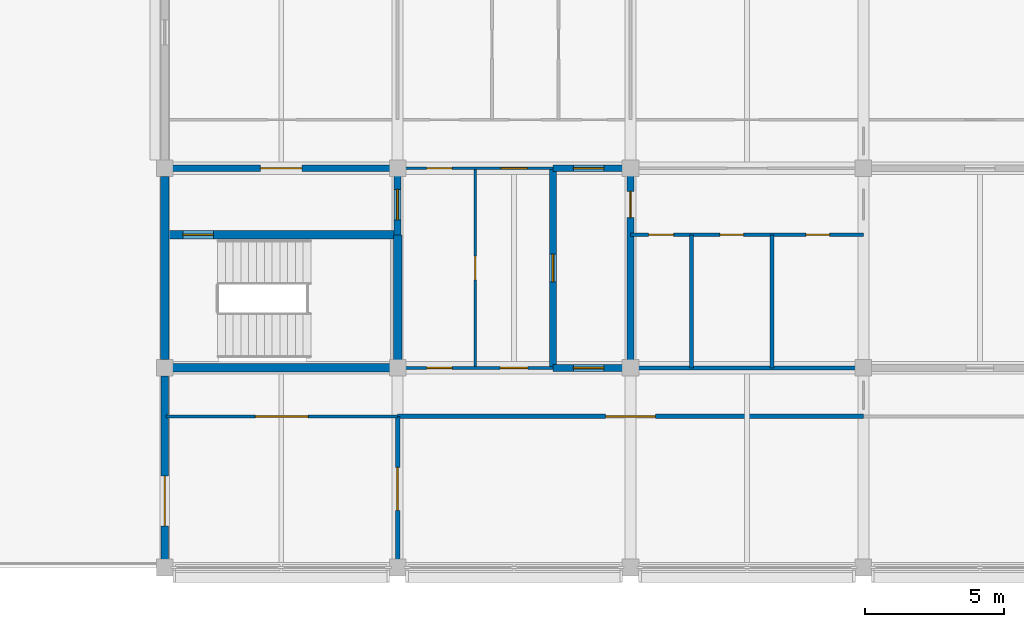
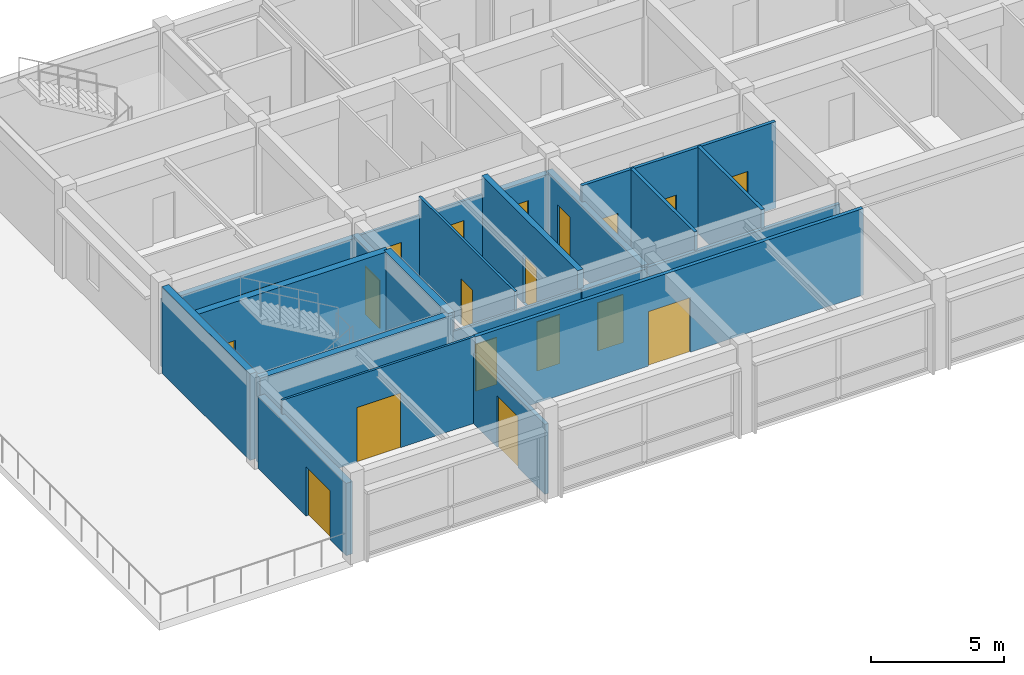
# One storey, part 7 of 13: 21 walls, 19 doors, 19 openings.
"""IFC4 building model written with IfcOpenShell, lengths in metres."""

import ifcopenshell
import ifcopenshell.guid

model = None  # the IFC model being written
_history = None  # IfcOwnerHistory: only IFC2X3 demands one
_inside = {}  # id of a spatial element -> (the spatial element, [elements in it])
_under = {}  # id of a project, library or spatial element -> (it, [spatial elements below it])
_declared = {}  # id of a project -> (the project, [libraries it declares])
_typed = {}  # id of a type object -> (the type object, [elements of that type])
_made_of = {}  # id of a material, layer set ... -> (it, [elements and type objects made of it])


def new_model(schema):
    """Start an empty IFC model of exactly this schema.

    Asked for "IFC4X3", IfcOpenShell would pick the latest addendum, in which some entities
    have other attributes; the version numbers below select the first issue.
    IFC2X3 requires an IfcOwnerHistory on every rooted entity: one is made here for all.
    """
    global model, _history
    if schema == "IFC4X3":
        model = ifcopenshell.file(schema_version=(4, 3, 0, 0))
    else:
        model = ifcopenshell.file(schema=schema)
    _inside.clear()
    _under.clear()
    _declared.clear()
    _typed.clear()
    _made_of.clear()
    _history = None
    if model.schema == "IFC2X3":
        org = make("IfcOrganization", Name="unknown")
        user = make(
            "IfcPersonAndOrganization",
            ThePerson=make("IfcPerson", FamilyName="unknown"),
            TheOrganization=org,
        )
        app = make(
            "IfcApplication",
            ApplicationDeveloper=org,
            Version="unknown",
            ApplicationFullName="unknown",
            ApplicationIdentifier="unknown",
        )
        _history = make(
            "IfcOwnerHistory",
            OwningUser=user,
            OwningApplication=app,
            ChangeAction="ADDED",
            CreationDate=0,
        )
    return model


def make(cls, **values):
    """One entity of the class cls with the attributes given. An attribute that is None is left unset."""
    return model.create_entity(
        cls, **{name: value for name, value in values.items() if value is not None}
    )


def rooted(cls, **values):
    """An entity with a GlobalId (a new one), such as an element, a storey or a relation."""
    return make(cls, GlobalId=ifcopenshell.guid.new(), OwnerHistory=_history, **values)


def si_unit(unit_type, name, prefix=None):
    """IfcSIUnit, for example si_unit("LENGTHUNIT", "METRE", prefix="MILLI")."""
    return make("IfcSIUnit", UnitType=unit_type, Prefix=prefix, Name=name)


def assignment(units):
    """IfcUnitAssignment: the units of a project."""
    return None if units is None else make("IfcUnitAssignment", Units=units)


def point(xyz):
    """IfcCartesianPoint."""
    return None if xyz is None else make("IfcCartesianPoint", Coordinates=xyz)


def direction(xyz):
    """IfcDirection."""
    return None if xyz is None else make("IfcDirection", DirectionRatios=xyz)


def frame(location, z_axis=None, x_axis=None):
    """IfcAxis2Placement3D, a coordinate frame: its origin and axes. An axis left out is left unset."""
    return make(
        "IfcAxis2Placement3D",
        Location=point(location),
        Axis=direction(z_axis),
        RefDirection=direction(x_axis),
    )


def frame_2d(location, x_axis=None):
    """IfcAxis2Placement2D, a coordinate frame in the plane: its origin and x axis."""
    return make(
        "IfcAxis2Placement2D", Location=point(location), RefDirection=direction(x_axis)
    )


def origin():
    """The frame at (0, 0, 0) with its axes left unset."""
    return frame((0.0, 0.0, 0.0))


def place(relative_to, where):
    """IfcLocalPlacement: puts the frame where relative to a parent placement (None: the world)."""
    return make(
        "IfcLocalPlacement", PlacementRelTo=relative_to, RelativePlacement=where
    )


def context(
    kind, dimensions, precision=None, world=None, true_north=None, identifier=None
):
    """IfcGeometricRepresentationContext, for example the 3D "Model" context."""
    return make(
        "IfcGeometricRepresentationContext",
        ContextIdentifier=identifier,
        ContextType=kind,
        CoordinateSpaceDimension=dimensions,
        Precision=precision,
        WorldCoordinateSystem=world,
        TrueNorth=true_north,
    )


def subcontext(parent, identifier, kind, view, scale=None):
    """IfcGeometricRepresentationSubContext, for example "Body" below "Model"."""
    return make(
        "IfcGeometricRepresentationSubContext",
        ContextIdentifier=identifier,
        ContextType=kind,
        ParentContext=parent,
        TargetScale=scale,
        TargetView=view,
    )


def project(units=None, contexts=None):
    """IfcProject with its units and contexts."""
    return rooted(
        "IfcProject",
        Name="project",
        RepresentationContexts=contexts,
        UnitsInContext=assignment(units),
    )


def spatial(cls, under=None, at=None, **own):
    """A site, building, storey or space (cls), placed at a placement, below another one or the project."""
    s = rooted(cls, ObjectPlacement=at, **own)
    if under is not None:
        _under.setdefault(under.id(), (under, []))[1].append(s)
    return s


def profile(cls, at=None, kind="AREA", **sizes):
    """A parametric profile (cls). Its sizes go by their IFC names, for example OverallWidth=200.0."""
    return make(cls, ProfileType=kind, Position=at, **sizes)


def rectangle(**sizes):
    """IfcRectangleProfileDef."""
    return profile("IfcRectangleProfileDef", **sizes)


def extrude(swept, where, along, depth):
    """IfcExtrudedAreaSolid: the profile swept, set in the frame where, extruded along a direction by depth."""
    return make(
        "IfcExtrudedAreaSolid",
        SweptArea=swept,
        Position=where,
        ExtrudedDirection=direction(along),
        Depth=depth,
    )


def shape(context_of_items, identifier, shape_type, items):
    """IfcShapeRepresentation: the items that make up one representation, for example the "Body"."""
    return make(
        "IfcShapeRepresentation",
        ContextOfItems=context_of_items,
        RepresentationIdentifier=identifier,
        RepresentationType=shape_type,
        Items=items,
    )


def material(Name=None, Category=None):
    """IfcMaterial."""
    return make("IfcMaterial", Name=Name, Category=Category)


def layer(
    of_material, thickness, ventilated=None, Name=None, Category=None, Priority=None
):
    """IfcMaterialLayer: one layer of a wall or slab, of a material (None: an air gap)."""
    return make(
        "IfcMaterialLayer",
        Material=of_material,
        LayerThickness=thickness,
        IsVentilated=ventilated,
        Name=Name,
        Category=Category,
        Priority=Priority,
    )


def layer_set(layers, Name=None):
    """IfcMaterialLayerSet."""
    return make("IfcMaterialLayerSet", MaterialLayers=layers, LayerSetName=Name)


def made_of(thing, what):
    """Note that an element or type object is made of a material, layer set ...; save() writes the relation."""
    if what is not None:
        _made_of.setdefault(what.id(), (what, []))[1].append(thing)
    return thing


def type_object(cls, material=None, **own):
    """A type object (cls), such as IfcWallType, which elements share."""
    return made_of(rooted(cls, **own), material)


def element(
    cls,
    number,
    at=None,
    inside=None,
    cuts=None,
    type_object=None,
    material=None,
    context=None,
    identifier="Body",
    shape_type=None,
    held_by="IfcProductDefinitionShape",
    body=None,
    shapes=None,
    **own,
):
    """One element of the class cls, such as IfcWall. Its Tag is "e" and its number.

    at: its placement. inside: the storey or other place that contains it. cuts: it is an
    opening in that element (IfcRelVoidsElement). A single representation is given by context,
    identifier, shape_type and body (its items); several are given by shapes. held_by: the class
    of the entity that holds the representations. save() writes the other relations.
    """
    e = rooted(cls, Tag="e%d" % number, ObjectPlacement=at, **own)
    if body is not None:
        shapes = [shape(context, identifier, shape_type, body)]
    if shapes is not None:
        e.Representation = make(held_by, Representations=shapes)
    if inside is not None:
        _inside.setdefault(inside.id(), (inside, []))[1].append(e)
    if cuts is not None:
        rooted(
            "IfcRelVoidsElement", RelatingBuildingElement=cuts, RelatedOpeningElement=e
        )
    if type_object is not None:
        _typed.setdefault(type_object.id(), (type_object, []))[1].append(e)
    return made_of(e, material)


def fill(opening, filler):
    """IfcRelFillsElement: the door or window that sits in an opening."""
    return rooted(
        "IfcRelFillsElement",
        RelatingOpeningElement=opening,
        RelatedBuildingElement=filler,
    )


def aggregate(whole, parts):
    """IfcRelAggregates: a whole, such as a stair, and the parts it consists of."""
    return rooted("IfcRelAggregates", RelatingObject=whole, RelatedObjects=parts)


def save(model, path):
    """Write the relations noted so far, then the file.

    IfcRelAggregates (storeys below a building ...), IfcRelContainedInSpatialStructure (elements
    in a storey), IfcRelDefinesByType, IfcRelAssociatesMaterial and IfcRelDeclares: one each for
    every whole, place, type object, material and project.
    """
    for whole, parts in _under.values():
        aggregate(whole, parts)
    for where, things in _inside.values():
        rooted(
            "IfcRelContainedInSpatialStructure",
            RelatedElements=things,
            RelatingStructure=where,
        )
    for kind, things in _typed.values():
        rooted("IfcRelDefinesByType", RelatedObjects=things, RelatingType=kind)
    for what, things in _made_of.values():
        rooted("IfcRelAssociatesMaterial", RelatedObjects=things, RelatingMaterial=what)
    for by, libraries in _declared.values():
        rooted("IfcRelDeclares", RelatingContext=by, RelatedDefinitions=libraries)
    model.write(path)


model = new_model("IFC4")

# Units and contexts
model_context = context("Model", 3, precision=1e-05, world=origin(), true_north=direction((0.0, 1.0)))
body_context = subcontext(model_context, "Body", "Model", "MODEL_VIEW")
ifc_project = project(units=[si_unit("LENGTHUNIT", "METRE"), si_unit("AREAUNIT", "SQUARE_METRE"), si_unit("VOLUMEUNIT", "CUBIC_METRE"), si_unit("PLANEANGLEUNIT", "RADIAN"), si_unit("MASSUNIT", "GRAM", prefix="KILO")], contexts=[model_context])

# Site, building, storey
site_placement = place(None, origin())
site = spatial("IfcSite", under=ifc_project, at=site_placement, CompositionType="ELEMENT")
building_placement = place(site_placement, origin())
building = spatial("IfcBuilding", under=site, at=building_placement, Name="Chengyuan Square Courthouse", CompositionType="ELEMENT")
storey_placement = place(building_placement, frame((0.0, 0.0, 60.300048828125)))
storey = spatial("IfcBuildingStorey", under=building, at=storey_placement, Name="L14", CompositionType="ELEMENT", Elevation=60.300048828125)

# Wall, opening, door
ifc_material_1 = material(Name="Concrete C40", Category="concrete")
ifc_layer_1 = layer(ifc_material_1, 0.280029296875)
ifc_layer_set_1 = layer_set([ifc_layer_1], Name="Concrete C40")
wall_type_1 = type_object("IfcWallType", Name="WL-EW4", PredefinedType="STANDARD", material=ifc_layer_set_1)
wall_1_placement = place(storey_placement, frame((58.800048828125, 79.4951171875, 0.0), z_axis=(0.0, 0.0, 1.0), x_axis=(0.0, 1.0, 0.0)))
wall_1 = element("IfcWall", 1, at=wall_1_placement, inside=storey, type_object=wall_type_1, Name="Exterior Wall WL-L14-E508", PredefinedType="STANDARD", context=body_context, shape_type="SweptSolid", body=[
    extrude(rectangle(XDim=6.60986328125, YDim=0.280029296875, at=frame_2d((3.304931640625, 0.0))), origin(), (0.0, 0.0, 1.0), 3.31005859375),
])
opening_1_placement = place(wall_1_placement, frame((1.205078125, 0.0, 0.0)))
opening_1 = element("IfcOpeningElement", 2, at=opening_1_placement, cuts=wall_1, Name="Opening DR-008", PredefinedType="OPENING", context=body_context, shape_type="SweptSolid", body=[
    extrude(rectangle(XDim=1.800048828125, YDim=2.25, at=frame_2d((0.89990234375, 1.125))), frame((0.0, 0.152099609375, 0.0), z_axis=(0.0, -1.0, 0.0), x_axis=(1.0, 0.0, 0.0)), (0.0, 0.0, 1.0), 0.303955078125),
])
ifc_material_2 = material(Name="Thermally Broken Aluminium Terrace Door", Category="aluminium")
door_type_1 = type_object("IfcDoorType", Name="DT-02", OperationType="DOUBLE_DOOR_SINGLE_SWING", PredefinedType="DOOR", material=ifc_material_2)
door_1_placement = place(opening_1_placement, origin())
door_1 = element("IfcDoor", 3, at=door_1_placement, inside=storey, type_object=door_type_1, Name="Planted Terrace Access Door DR-008", OperationType="DOUBLE_DOOR_SINGLE_SWING", OverallHeight=2.25, OverallWidth=1.800048828125, PredefinedType="DOOR", context=body_context, shape_type="SweptSolid", body=[
    extrude(rectangle(XDim=1.800048828125, YDim=2.25, at=frame_2d((0.89990234375, 1.125))), frame((0.0, 0.02490234375, 0.0), z_axis=(0.0, -1.0, 0.0), x_axis=(1.0, 0.0, 0.0)), (0.0, 0.0, 1.0), 0.050048828125),
])
fill(opening_1, door_1)

ifc_layer_2 = layer(ifc_material_1, 0.25)
ifc_layer_set_2 = layer_set([ifc_layer_2], Name="Concrete C40")
wall_type_2 = type_object("IfcWallType", Name="WL-FW1", PredefinedType="STANDARD", material=ifc_layer_set_2)
wall_2_placement = place(storey_placement, frame((72.800048828125, 86.39990234375, 0.0), z_axis=(0.0, 0.0, 1.0), x_axis=(1.0, 0.0, 0.0)))
wall_2 = element("IfcWall", 4, at=wall_2_placement, inside=storey, type_object=wall_type_2, Name="Interior Wall WL-L14-I3904", PredefinedType="STANDARD", context=body_context, shape_type="SweptSolid", body=[
    extrude(rectangle(XDim=2.800048828125, YDim=0.25, at=frame_2d((1.39990234375, 0.0))), origin(), (0.0, 0.0, 1.0), 3.10986328125),
])
opening_2_placement = place(wall_2_placement, frame((0.739990234375, 0.0, 0.0)))
opening_2 = element("IfcOpeningElement", 5, at=opening_2_placement, cuts=wall_2, Name="Opening DR-3289", PredefinedType="OPENING", context=body_context, shape_type="SweptSolid", body=[
    extrude(rectangle(XDim=1.10009765625, YDim=2.199951171875, at=frame_2d((0.550048828125, 1.10009765625))), frame((0.0, 0.136962890625, 0.0), z_axis=(0.0, -1.0, 0.0), x_axis=(1.0, 0.0, 0.0)), (0.0, 0.0, 1.0), 0.27392578125),
])
ifc_material_3 = material(Name="Steel Q235B Fire Door", Category="steel")
door_type_2 = type_object("IfcDoorType", Name="DT-10", OperationType="NOTDEFINED", PredefinedType="DOOR", material=ifc_material_3)
door_2_placement = place(opening_2_placement, origin())
door_2 = element("IfcDoor", 6, at=door_2_placement, inside=storey, type_object=door_type_2, Name="Interior Door DR-3289", OperationType="SINGLE_SWING_RIGHT", OverallHeight=2.199951171875, OverallWidth=1.10009765625, PredefinedType="DOOR", context=body_context, shape_type="SweptSolid", body=[
    extrude(rectangle(XDim=1.10009765625, YDim=2.199951171875, at=frame_2d((0.550048828125, 1.10009765625))), frame((0.0, 0.02490234375, 0.0), z_axis=(0.0, -1.0, 0.0), x_axis=(1.0, 0.0, 0.0)), (0.0, 0.0, 1.0), 0.050048828125),
])
fill(opening_2, door_2)

wall_3_placement = place(storey_placement, frame((58.840087890625, 93.60009765625, 0.0), z_axis=(0.0, 0.0, 1.0), x_axis=(1.0, 0.0, 0.0)))
wall_3 = element("IfcWall", 7, at=wall_3_placement, inside=storey, type_object=wall_type_2, Name="Interior Wall WL-L14-I3913", PredefinedType="STANDARD", context=body_context, shape_type="SweptSolid", body=[
    extrude(rectangle(XDim=8.35986328125, YDim=0.25, at=frame_2d((4.179931640625, 0.0))), origin(), (0.0, 0.0, 1.0), 3.10986328125),
])
opening_3_placement = place(wall_3_placement, frame((3.409912109375, 0.0, 0.0)))
opening_3 = element("IfcOpeningElement", 8, at=opening_3_placement, cuts=wall_3, Name="Opening DR-3240", PredefinedType="OPENING", context=body_context, shape_type="SweptSolid", body=[
    extrude(rectangle(XDim=1.5, YDim=2.25, at=frame_2d((0.75, 1.125))), frame((0.0, 0.136962890625, 0.0), z_axis=(0.0, -1.0, 0.0), x_axis=(1.0, 0.0, 0.0)), (0.0, 0.0, 1.0), 0.27392578125),
])
ifc_material_4 = material(Name="Steel Q235B Glazed Fire Door", Category="steel")
door_type_3 = type_object("IfcDoorType", Name="DT-19", OperationType="DOUBLE_DOOR_SINGLE_SWING", PredefinedType="DOOR", material=ifc_material_4)
door_3_placement = place(opening_3_placement, frame((1.5, 0.0, 0.0), z_axis=(0.0, 0.0, 1.0), x_axis=(-1.0, 0.0, 0.0)))
door_3 = element("IfcDoor", 9, at=door_3_placement, inside=storey, type_object=door_type_3, Name="Interior Door DR-3240", OperationType="DOUBLE_DOOR_SINGLE_SWING", OverallHeight=2.25, OverallWidth=1.5, PredefinedType="DOOR", context=body_context, shape_type="SweptSolid", body=[
    extrude(rectangle(XDim=1.5, YDim=2.25, at=frame_2d((0.75, 1.125))), frame((0.0, 0.02490234375, 0.0), z_axis=(0.0, -1.0, 0.0), x_axis=(1.0, 0.0, 0.0)), (0.0, 0.0, 1.0), 0.050048828125),
])
fill(opening_3, door_3)

wall_4_placement = place(storey_placement, frame((72.800048828125, 93.60009765625, 0.0), z_axis=(0.0, 0.0, 1.0), x_axis=(1.0, 0.0, 0.0)))
wall_4 = element("IfcWall", 10, at=wall_4_placement, inside=storey, type_object=wall_type_2, Name="Interior Wall WL-L14-I3915", PredefinedType="STANDARD", context=body_context, shape_type="SweptSolid", body=[
    extrude(rectangle(XDim=2.800048828125, YDim=0.25, at=frame_2d((1.39990234375, 0.0))), origin(), (0.0, 0.0, 1.0), 3.10986328125),
])
opening_4_placement = place(wall_4_placement, frame((0.739990234375, 0.0, 0.0)))
opening_4 = element("IfcOpeningElement", 11, at=opening_4_placement, cuts=wall_4, Name="Opening DR-3271", PredefinedType="OPENING", context=body_context, shape_type="SweptSolid", body=[
    extrude(rectangle(XDim=1.10009765625, YDim=2.199951171875, at=frame_2d((0.550048828125, 1.10009765625))), frame((0.0, 0.136962890625, 0.0), z_axis=(0.0, -1.0, 0.0), x_axis=(1.0, 0.0, 0.0)), (0.0, 0.0, 1.0), 0.27392578125),
])
door_4_placement = place(opening_4_placement, origin())
door_4 = element("IfcDoor", 12, at=door_4_placement, inside=storey, type_object=door_type_2, Name="Interior Door DR-3271", OperationType="SINGLE_SWING_RIGHT", OverallHeight=2.199951171875, OverallWidth=1.10009765625, PredefinedType="DOOR", context=body_context, shape_type="SweptSolid", body=[
    extrude(rectangle(XDim=1.10009765625, YDim=2.199951171875, at=frame_2d((0.550048828125, 1.10009765625))), frame((0.0, 0.02490234375, 0.0), z_axis=(0.0, -1.0, 0.0), x_axis=(1.0, 0.0, 0.0)), (0.0, 0.0, 1.0), 0.050048828125),
])
fill(opening_4, door_4)

wall_5_placement = place(storey_placement, frame((67.199951171875, 91.199951171875, 0.0), z_axis=(0.0, 0.0, 1.0), x_axis=(0.0, 1.0, 0.0)))
wall_5 = element("IfcWall", 13, at=wall_5_placement, inside=storey, type_object=wall_type_2, Name="Interior Wall WL-L14-I3946", PredefinedType="STANDARD", context=body_context, shape_type="SweptSolid", body=[
    extrude(rectangle(XDim=2.400146484375, YDim=0.25, at=frame_2d((1.2001953125, 0.0))), origin(), (0.0, 0.0, 1.0), 3.2099609375),
])
opening_5_placement = place(wall_5_placement, frame((0.5400390625, 0.0, 0.0)))
opening_5 = element("IfcOpeningElement", 14, at=opening_5_placement, cuts=wall_5, Name="Opening DR-3241", PredefinedType="OPENING", context=body_context, shape_type="SweptSolid", body=[
    extrude(rectangle(XDim=1.10009765625, YDim=2.199951171875, at=frame_2d((0.550048828125, 1.10009765625))), frame((0.0, 0.136962890625, 0.0), z_axis=(0.0, -1.0, 0.0), x_axis=(1.0, 0.0, 0.0)), (0.0, 0.0, 1.0), 0.27392578125),
])
door_5_placement = place(opening_5_placement, origin())
door_5 = element("IfcDoor", 15, at=door_5_placement, inside=storey, type_object=door_type_2, Name="Interior Door DR-3241", OperationType="SINGLE_SWING_LEFT", OverallHeight=2.199951171875, OverallWidth=1.10009765625, PredefinedType="DOOR", context=body_context, shape_type="SweptSolid", body=[
    extrude(rectangle(XDim=1.10009765625, YDim=2.199951171875, at=frame_2d((0.550048828125, 1.10009765625))), frame((0.0, 0.02490234375, 0.0), z_axis=(0.0, -1.0, 0.0), x_axis=(1.0, 0.0, 0.0)), (0.0, 0.0, 1.0), 0.050048828125),
])
fill(opening_5, door_5)

wall_6_placement = place(storey_placement, frame((72.800048828125, 86.39990234375, 0.0), z_axis=(0.0, 0.0, 1.0), x_axis=(0.0, 1.0, 0.0)))
wall_6 = element("IfcWall", 16, at=wall_6_placement, inside=storey, type_object=wall_type_2, Name="Interior Wall WL-L14-I3957", PredefinedType="STANDARD", context=body_context, shape_type="SweptSolid", body=[
    extrude(rectangle(XDim=7.2001953125, YDim=0.25, at=frame_2d((3.60009765625, 0.0))), origin(), (0.0, 0.0, 1.0), 3.9599609375),
])
opening_6_placement = place(wall_6_placement, frame((3.10009765625, 0.0, 0.0)))
opening_6 = element("IfcOpeningElement", 17, at=opening_6_placement, cuts=wall_6, Name="Opening DR-3287", PredefinedType="OPENING", context=body_context, shape_type="SweptSolid", body=[
    extrude(rectangle(XDim=1.0, YDim=2.199951171875, at=frame_2d((0.5, 1.10009765625))), frame((0.0, 0.136962890625, 0.0), z_axis=(0.0, -1.0, 0.0), x_axis=(1.0, 0.0, 0.0)), (0.0, 0.0, 1.0), 0.27392578125),
])
door_type_4 = type_object("IfcDoorType", Name="DT-11", OperationType="NOTDEFINED", PredefinedType="DOOR", material=ifc_material_3)
door_6_placement = place(opening_6_placement, origin())
door_6 = element("IfcDoor", 18, at=door_6_placement, inside=storey, type_object=door_type_4, Name="Interior Door DR-3287", OperationType="SINGLE_SWING_RIGHT", OverallHeight=2.199951171875, OverallWidth=1.0, PredefinedType="DOOR", context=body_context, shape_type="SweptSolid", body=[
    extrude(rectangle(XDim=1.0, YDim=2.199951171875, at=frame_2d((0.5, 1.10009765625))), frame((0.0, 0.02490234375, 0.0), z_axis=(0.0, -1.0, 0.0), x_axis=(1.0, 0.0, 0.0)), (0.0, 0.0, 1.0), 0.050048828125),
])
fill(opening_6, door_6)

wall_7_placement = place(storey_placement, frame((75.60009765625, 86.39990234375, 0.0), z_axis=(0.0, 0.0, 1.0), x_axis=(0.0, 1.0, 0.0)))
wall_7 = element("IfcWall", 19, at=wall_7_placement, inside=storey, type_object=wall_type_2, Name="Interior Wall WL-L14-I3959", PredefinedType="STANDARD", context=body_context, shape_type="SweptSolid", body=[
    extrude(rectangle(XDim=7.2001953125, YDim=0.25, at=frame_2d((3.60009765625, 0.0))), origin(), (0.0, 0.0, 1.0), 3.2099609375),
])
opening_7_placement = place(wall_7_placement, frame((5.4150390625, 0.0, 0.0)))
opening_7 = element("IfcOpeningElement", 20, at=opening_7_placement, cuts=wall_7, Name="Opening DR-3261", PredefinedType="OPENING", context=body_context, shape_type="SweptSolid", body=[
    extrude(rectangle(XDim=0.949951171875, YDim=2.14990234375, at=frame_2d((0.47509765625, 1.074951171875))), frame((0.0, 0.136962890625, 0.0), z_axis=(0.0, -1.0, 0.0), x_axis=(1.0, 0.0, 0.0)), (0.0, 0.0, 1.0), 0.27392578125),
])
door_type_5 = type_object("IfcDoorType", Name="DT-12", OperationType="NOTDEFINED", PredefinedType="DOOR", material=ifc_material_3)
door_7_placement = place(opening_7_placement, origin())
door_7 = element("IfcDoor", 21, at=door_7_placement, inside=storey, type_object=door_type_5, Name="Interior Door DR-3261", OperationType="SINGLE_SWING_RIGHT", OverallHeight=2.14990234375, OverallWidth=0.949951171875, PredefinedType="DOOR", context=body_context, shape_type="SweptSolid", body=[
    extrude(rectangle(XDim=0.949951171875, YDim=2.14990234375, at=frame_2d((0.47509765625, 1.074951171875))), frame((0.0, 0.02490234375, 0.0), z_axis=(0.0, -1.0, 0.0), x_axis=(1.0, 0.0, 0.0)), (0.0, 0.0, 1.0), 0.050048828125),
])
fill(opening_7, door_7)

ifc_material_5 = material(Name="Acoustic Timber-Lined Gypsum Partition", Category="wood")
ifc_layer_3 = layer(ifc_material_5, 0.159912109375)
ifc_layer_set_3 = layer_set([ifc_layer_3], Name="Acoustic Timber-Lined Gypsum Partition")
wall_type_3 = type_object("IfcWallType", Name="WL-PT2", PredefinedType="STANDARD", material=ifc_layer_set_3)
wall_8_placement = place(storey_placement, frame((67.199951171875, 84.64990234375, 0.0), z_axis=(0.0, 0.0, 1.0), x_axis=(1.0, 0.0, 0.0)))
wall_8 = element("IfcWall", 22, at=wall_8_placement, inside=storey, type_object=wall_type_3, Name="Interior Wall WL-L14-I3900", PredefinedType="STANDARD", context=body_context, shape_type="SweptSolid", body=[
    extrude(rectangle(XDim=16.800048828125, YDim=0.159912109375, at=frame_2d((8.39990234375, 0.0))), origin(), (0.0, 0.0, 1.0), 3.9599609375),
])
opening_8_placement = place(wall_8_placement, frame((7.5, 0.0, 0.0)))
opening_8 = element("IfcOpeningElement", 23, at=opening_8_placement, cuts=wall_8, Name="Opening DR-3298", PredefinedType="OPENING", context=body_context, shape_type="SweptSolid", body=[
    extrude(rectangle(XDim=1.800048828125, YDim=2.5, at=frame_2d((0.89990234375, 1.25))), frame((0.0, 0.092041015625, 0.0), z_axis=(0.0, -1.0, 0.0), x_axis=(1.0, 0.0, 0.0)), (0.0, 0.0, 1.0), 0.183837890625),
])
ifc_material_6 = material(Name="Acoustic Larch Veneer Double Door")
door_type_6 = type_object("IfcDoorType", Name="DT-21", OperationType="DOUBLE_DOOR_SINGLE_SWING", PredefinedType="DOOR", material=ifc_material_6)
door_8_placement = place(opening_8_placement, frame((1.800048828125, 0.0, 0.0), z_axis=(0.0, 0.0, 1.0), x_axis=(-1.0, 0.0, 0.0)))
door_8 = element("IfcDoor", 24, at=door_8_placement, inside=storey, type_object=door_type_6, Name="Interior Door DR-3298", OperationType="DOUBLE_DOOR_SINGLE_SWING", OverallHeight=2.5, OverallWidth=1.800048828125, PredefinedType="DOOR", context=body_context, shape_type="SweptSolid", body=[
    extrude(rectangle(XDim=1.800048828125, YDim=2.5, at=frame_2d((0.89990234375, 1.25))), frame((0.0, 0.02490234375, 0.0), z_axis=(0.0, -1.0, 0.0), x_axis=(1.0, 0.0, 0.0)), (0.0, 0.0, 1.0), 0.050048828125),
])
fill(opening_8, door_8)

wall_9_placement = place(storey_placement, frame((67.199951171875, 79.239990234375, 0.0), z_axis=(0.0, 0.0, 1.0), x_axis=(0.0, 1.0, 0.0)))
wall_9 = element("IfcWall", 25, at=wall_9_placement, inside=storey, type_object=wall_type_3, Name="Interior Wall WL-L14-I3944", PredefinedType="STANDARD", context=body_context, shape_type="SweptSolid", body=[
    extrude(rectangle(XDim=5.409912109375, YDim=0.159912109375, at=frame_2d((2.705078125, 0.0))), origin(), (0.0, 0.0, 1.0), 3.2099609375),
])
opening_9_placement = place(wall_9_placement, frame((2.02001953125, 0.0, 0.0)))
opening_9 = element("IfcOpeningElement", 26, at=opening_9_placement, cuts=wall_9, Name="Opening DR-3300", PredefinedType="OPENING", context=body_context, shape_type="SweptSolid", body=[
    extrude(rectangle(XDim=1.550048828125, YDim=2.35009765625, at=frame_2d((0.77490234375, 1.175048828125))), frame((0.0, 0.092041015625, 0.0), z_axis=(0.0, -1.0, 0.0), x_axis=(1.0, 0.0, 0.0)), (0.0, 0.0, 1.0), 0.183837890625),
])
door_type_7 = type_object("IfcDoorType", Name="DT-23", OperationType="DOUBLE_DOOR_SINGLE_SWING", PredefinedType="DOOR", material=ifc_material_6)
door_9_placement = place(opening_9_placement, frame((1.550048828125, 0.0, 0.0), z_axis=(0.0, 0.0, 1.0), x_axis=(-1.0, 0.0, 0.0)))
door_9 = element("IfcDoor", 27, at=door_9_placement, inside=storey, type_object=door_type_7, Name="Interior Door DR-3300", OperationType="DOUBLE_DOOR_SINGLE_SWING", OverallHeight=2.35009765625, OverallWidth=1.550048828125, PredefinedType="DOOR", context=body_context, shape_type="SweptSolid", body=[
    extrude(rectangle(XDim=1.550048828125, YDim=2.35009765625, at=frame_2d((0.77490234375, 1.175048828125))), frame((0.0, 0.02490234375, 0.0), z_axis=(0.0, -1.0, 0.0), x_axis=(1.0, 0.0, 0.0)), (0.0, 0.0, 1.0), 0.050048828125),
])
fill(opening_9, door_9)

# Wall
ifc_material_7 = material(Name="Moisture-Resistant Masonry Wet-Room Partition", Category="masonry")
ifc_layer_4 = layer(ifc_material_7, 0.139892578125)
ifc_layer_set_4 = layer_set([ifc_layer_4], Name="Moisture-Resistant Masonry Wet-Room Partition")
wall_type_4 = type_object("IfcWallType", Name="WL-PT4", PredefinedType="STANDARD", material=ifc_layer_set_4)
wall_10_placement = place(storey_placement, frame((75.60009765625, 86.39990234375, 0.0), z_axis=(0.0, 0.0, 1.0), x_axis=(1.0, 0.0, 0.0)))
element("IfcWall", 28, at=wall_10_placement, inside=storey, type_object=wall_type_4, Name="Interior Wall WL-L14-I3905", PredefinedType="STANDARD", context=body_context, shape_type="SweptSolid", body=[
    extrude(rectangle(XDim=8.39990234375, YDim=0.139892578125, at=frame_2d((4.199951171875, 0.0))), origin(), (0.0, 0.0, 1.0), 3.10986328125),
])

# Wall, openings, doors
wall_11_placement = place(storey_placement, frame((75.60009765625, 91.199951171875, 0.0), z_axis=(0.0, 0.0, 1.0), x_axis=(1.0, 0.0, 0.0)))
wall_11 = element("IfcWall", 29, at=wall_11_placement, inside=storey, type_object=wall_type_4, Name="Interior Wall WL-L14-I3911", PredefinedType="STANDARD", context=body_context, shape_type="SweptSolid", body=[
    extrude(rectangle(XDim=8.39990234375, YDim=0.139892578125, at=frame_2d((4.199951171875, 0.0))), origin(), (0.0, 0.0, 1.0), 3.9599609375),
])
opening_10_placement = place(wall_11_placement, frame((0.64990234375, 0.0, 0.0)))
opening_10 = element("IfcOpeningElement", 30, at=opening_10_placement, cuts=wall_11, Name="Opening DR-3257", PredefinedType="OPENING", context=body_context, shape_type="SweptSolid", body=[
    extrude(rectangle(XDim=0.89990234375, YDim=2.14990234375, at=frame_2d((0.449951171875, 1.074951171875))), frame((0.0, 0.08203125, 0.0), z_axis=(0.0, -1.0, 0.0), x_axis=(1.0, 0.0, 0.0)), (0.0, 0.0, 1.0), 0.163818359375),
])
opening_11_placement = place(wall_11_placement, frame((3.219970703125, 0.0, 0.0)))
opening_11 = element("IfcOpeningElement", 31, at=opening_11_placement, cuts=wall_11, Name="Opening DR-3258", PredefinedType="OPENING", context=body_context, shape_type="SweptSolid", body=[
    extrude(rectangle(XDim=0.860107421875, YDim=2.10009765625, at=frame_2d((0.43017578125, 1.050048828125))), frame((0.0, 0.08203125, 0.0), z_axis=(0.0, -1.0, 0.0), x_axis=(1.0, 0.0, 0.0)), (0.0, 0.0, 1.0), 0.163818359375),
])
opening_12_placement = place(wall_11_placement, frame((6.320068359375, 0.0, 0.0)))
opening_12 = element("IfcOpeningElement", 32, at=opening_12_placement, cuts=wall_11, Name="Opening DR-3259", PredefinedType="OPENING", context=body_context, shape_type="SweptSolid", body=[
    extrude(rectangle(XDim=0.860107421875, YDim=2.10009765625, at=frame_2d((0.43017578125, 1.050048828125))), frame((0.0, 0.08203125, 0.0), z_axis=(0.0, -1.0, 0.0), x_axis=(1.0, 0.0, 0.0)), (0.0, 0.0, 1.0), 0.163818359375),
])
ifc_material_8 = material(Name="Acoustic Solid-Core Timber Door", Category="wood")
door_type_8 = type_object("IfcDoorType", Name="DT-27", OperationType="NOTDEFINED", PredefinedType="DOOR", material=ifc_material_8)
door_10_placement = place(opening_10_placement, origin())
door_10 = element("IfcDoor", 33, at=door_10_placement, inside=storey, type_object=door_type_8, Name="Interior Door DR-3257", OperationType="SINGLE_SWING_LEFT", OverallHeight=2.14990234375, OverallWidth=0.89990234375, PredefinedType="DOOR", context=body_context, shape_type="SweptSolid", body=[
    extrude(rectangle(XDim=0.89990234375, YDim=2.14990234375, at=frame_2d((0.449951171875, 1.074951171875))), frame((0.0, 0.02490234375, 0.0), z_axis=(0.0, -1.0, 0.0), x_axis=(1.0, 0.0, 0.0)), (0.0, 0.0, 1.0), 0.050048828125),
])
fill(opening_10, door_10)
door_type_9 = type_object("IfcDoorType", Name="DT-28", OperationType="NOTDEFINED", PredefinedType="DOOR", material=ifc_material_8)
door_11_placement = place(opening_11_placement, origin())
door_11 = element("IfcDoor", 34, at=door_11_placement, inside=storey, type_object=door_type_9, Name="Interior Door DR-3258", OperationType="SINGLE_SWING_RIGHT", OverallHeight=2.10009765625, OverallWidth=0.860107421875, PredefinedType="DOOR", context=body_context, shape_type="SweptSolid", body=[
    extrude(rectangle(XDim=0.860107421875, YDim=2.10009765625, at=frame_2d((0.43017578125, 1.050048828125))), frame((0.0, 0.02490234375, 0.0), z_axis=(0.0, -1.0, 0.0), x_axis=(1.0, 0.0, 0.0)), (0.0, 0.0, 1.0), 0.050048828125),
])
fill(opening_11, door_11)
door_12_placement = place(opening_12_placement, origin())
door_12 = element("IfcDoor", 35, at=door_12_placement, inside=storey, type_object=door_type_9, Name="Interior Door DR-3259", OperationType="SINGLE_SWING_LEFT", OverallHeight=2.10009765625, OverallWidth=0.860107421875, PredefinedType="DOOR", context=body_context, shape_type="SweptSolid", body=[
    extrude(rectangle(XDim=0.860107421875, YDim=2.10009765625, at=frame_2d((0.43017578125, 1.050048828125))), frame((0.0, 0.02490234375, 0.0), z_axis=(0.0, -1.0, 0.0), x_axis=(1.0, 0.0, 0.0)), (0.0, 0.0, 1.0), 0.050048828125),
])
fill(opening_12, door_12)

# Walls
for number, where, z_axis, x_axis, name in (
    (36, (77.800048828125, 86.39990234375, 0.0), (0.0, 0.0, 1.0), (0.0, 1.0, 0.0), "Interior Wall WL-L14-I3964"),
    (37, (80.699951171875, 86.39990234375, 0.0), (0.0, 0.0, 1.0), (0.0, 1.0, 0.0), "Interior Wall WL-L14-I3967"),
):
    element("IfcWall", number, at=place(storey_placement, frame(where, z_axis=z_axis, x_axis=x_axis)), inside=storey, type_object=wall_type_4, Name=name, PredefinedType="STANDARD", context=body_context, shape_type="SweptSolid", body=[
        extrude(rectangle(XDim=4.800048828125, YDim=0.139892578125, at=frame_2d((2.39990234375, 0.0))), origin(), (0.0, 0.0, 1.0), 3.9599609375),
    ])

# Wall, opening, door
ifc_material_9 = material(Name="Gypsum Plasterboard Acoustic Stud Partition")
ifc_layer_5 = layer(ifc_material_9, 0.10009765625)
ifc_layer_set_5 = layer_set([ifc_layer_5], Name="Gypsum Plasterboard Acoustic Stud Partition")
wall_type_5 = type_object("IfcWallType", Name="WL-PT6", PredefinedType="STANDARD", material=ifc_layer_set_5)
wall_12_placement = place(storey_placement, frame((58.840087890625, 84.64990234375, 0.0), z_axis=(0.0, 0.0, 1.0), x_axis=(1.0, 0.0, 0.0)))
wall_12 = element("IfcWall", 38, at=wall_12_placement, inside=storey, type_object=wall_type_5, Name="Interior Wall WL-L14-I3899", PredefinedType="STANDARD", context=body_context, shape_type="SweptSolid", body=[
    extrude(rectangle(XDim=8.35986328125, YDim=0.10009765625, at=frame_2d((4.179931640625, 0.0))), origin(), (0.0, 0.0, 1.0), 3.9599609375),
])
opening_13_placement = place(wall_12_placement, frame((3.22998046875, 0.0, 0.0)))
opening_13 = element("IfcOpeningElement", 39, at=opening_13_placement, cuts=wall_12, Name="Opening DR-3297", PredefinedType="OPENING", context=body_context, shape_type="SweptSolid", body=[
    extrude(rectangle(XDim=1.89990234375, YDim=2.5, at=frame_2d((0.949951171875, 1.25))), frame((0.0, 0.06201171875, 0.0), z_axis=(0.0, -1.0, 0.0), x_axis=(1.0, 0.0, 0.0)), (0.0, 0.0, 1.0), 0.1240234375),
])
door_type_10 = type_object("IfcDoorType", Name="DT-26", OperationType="DOUBLE_DOOR_SINGLE_SWING", PredefinedType="DOOR", material=ifc_material_6)
door_13_placement = place(opening_13_placement, frame((1.89990234375, 0.0, 0.0), z_axis=(0.0, 0.0, 1.0), x_axis=(-1.0, 0.0, 0.0)))
door_13 = element("IfcDoor", 40, at=door_13_placement, inside=storey, type_object=door_type_10, Name="Interior Door DR-3297", OperationType="DOUBLE_DOOR_SINGLE_SWING", OverallHeight=2.5, OverallWidth=1.89990234375, PredefinedType="DOOR", context=body_context, shape_type="SweptSolid", body=[
    extrude(rectangle(XDim=1.89990234375, YDim=2.5, at=frame_2d((0.949951171875, 1.25))), frame((0.0, 0.02490234375, 0.0), z_axis=(0.0, -1.0, 0.0), x_axis=(1.0, 0.0, 0.0)), (0.0, 0.0, 1.0), 0.050048828125),
])
fill(opening_13, door_13)

# Wall, openings, doors
wall_13_placement = place(storey_placement, frame((67.199951171875, 86.39990234375, 0.0), z_axis=(0.0, 0.0, 1.0), x_axis=(1.0, 0.0, 0.0)))
wall_13 = element("IfcWall", 41, at=wall_13_placement, inside=storey, type_object=wall_type_5, Name="Interior Wall WL-L14-I3903", PredefinedType="STANDARD", context=body_context, shape_type="SweptSolid", body=[
    extrude(rectangle(XDim=5.60009765625, YDim=0.10009765625, at=frame_2d((2.800048828125, 0.0))), origin(), (0.0, 0.0, 1.0), 3.10986328125),
])
opening_14_placement = place(wall_13_placement, frame((1.050048828125, 0.0, 0.0)))
opening_14 = element("IfcOpeningElement", 42, at=opening_14_placement, cuts=wall_13, Name="Opening DR-3286", PredefinedType="OPENING", context=body_context, shape_type="SweptSolid", body=[
    extrude(rectangle(XDim=0.919921875, YDim=2.14990234375, at=frame_2d((0.4599609375, 1.074951171875))), frame((0.0, 0.06201171875, 0.0), z_axis=(0.0, -1.0, 0.0), x_axis=(1.0, 0.0, 0.0)), (0.0, 0.0, 1.0), 0.1240234375),
])
opening_15_placement = place(wall_13_placement, frame((3.699951171875, 0.0, 0.0)))
opening_15 = element("IfcOpeningElement", 43, at=opening_15_placement, cuts=wall_13, Name="Opening DR-3288", PredefinedType="OPENING", context=body_context, shape_type="SweptSolid", body=[
    extrude(rectangle(XDim=1.0, YDim=2.25, at=frame_2d((0.5, 1.125))), frame((0.0, 0.06201171875, 0.0), z_axis=(0.0, -1.0, 0.0), x_axis=(1.0, 0.0, 0.0)), (0.0, 0.0, 1.0), 0.1240234375),
])
door_type_11 = type_object("IfcDoorType", Name="DT-29", OperationType="NOTDEFINED", PredefinedType="DOOR", material=ifc_material_8)
door_14_placement = place(opening_14_placement, origin())
door_14 = element("IfcDoor", 44, at=door_14_placement, inside=storey, type_object=door_type_11, Name="Interior Door DR-3286", OperationType="SINGLE_SWING_LEFT", OverallHeight=2.14990234375, OverallWidth=0.919921875, PredefinedType="DOOR", context=body_context, shape_type="SweptSolid", body=[
    extrude(rectangle(XDim=0.919921875, YDim=2.14990234375, at=frame_2d((0.4599609375, 1.074951171875))), frame((0.0, 0.02490234375, 0.0), z_axis=(0.0, -1.0, 0.0), x_axis=(1.0, 0.0, 0.0)), (0.0, 0.0, 1.0), 0.050048828125),
])
fill(opening_14, door_14)
door_type_12 = type_object("IfcDoorType", Name="DT-31", OperationType="NOTDEFINED", PredefinedType="DOOR", material=ifc_material_8)
door_15_placement = place(opening_15_placement, origin())
door_15 = element("IfcDoor", 45, at=door_15_placement, inside=storey, type_object=door_type_12, Name="Interior Door DR-3288", OperationType="SINGLE_SWING_LEFT", OverallHeight=2.25, OverallWidth=1.0, PredefinedType="DOOR", context=body_context, shape_type="SweptSolid", body=[
    extrude(rectangle(XDim=1.0, YDim=2.25, at=frame_2d((0.5, 1.125))), frame((0.0, 0.02490234375, 0.0), z_axis=(0.0, -1.0, 0.0), x_axis=(1.0, 0.0, 0.0)), (0.0, 0.0, 1.0), 0.050048828125),
])
fill(opening_15, door_15)

wall_14_placement = place(storey_placement, frame((67.199951171875, 93.60009765625, 0.0), z_axis=(0.0, 0.0, 1.0), x_axis=(1.0, 0.0, 0.0)))
wall_14 = element("IfcWall", 46, at=wall_14_placement, inside=storey, type_object=wall_type_5, Name="Interior Wall WL-L14-I3914", PredefinedType="STANDARD", context=body_context, shape_type="SweptSolid", body=[
    extrude(rectangle(XDim=5.60009765625, YDim=0.10009765625, at=frame_2d((2.800048828125, 0.0))), origin(), (0.0, 0.0, 1.0), 3.10986328125),
])
opening_16_placement = place(wall_14_placement, frame((1.050048828125, 0.0, 0.0)))
opening_16 = element("IfcOpeningElement", 47, at=opening_16_placement, cuts=wall_14, Name="Opening DR-3269", PredefinedType="OPENING", context=body_context, shape_type="SweptSolid", body=[
    extrude(rectangle(XDim=0.919921875, YDim=2.14990234375, at=frame_2d((0.4599609375, 1.074951171875))), frame((0.0, 0.06201171875, 0.0), z_axis=(0.0, -1.0, 0.0), x_axis=(1.0, 0.0, 0.0)), (0.0, 0.0, 1.0), 0.1240234375),
])
opening_17_placement = place(wall_14_placement, frame((3.719970703125, 0.0, 0.0)))
opening_17 = element("IfcOpeningElement", 48, at=opening_17_placement, cuts=wall_14, Name="Opening DR-3270", PredefinedType="OPENING", context=body_context, shape_type="SweptSolid", body=[
    extrude(rectangle(XDim=0.9599609375, YDim=2.199951171875, at=frame_2d((0.47998046875, 1.10009765625))), frame((0.0, 0.06201171875, 0.0), z_axis=(0.0, -1.0, 0.0), x_axis=(1.0, 0.0, 0.0)), (0.0, 0.0, 1.0), 0.1240234375),
])
door_16_placement = place(opening_16_placement, origin())
door_16 = element("IfcDoor", 49, at=door_16_placement, inside=storey, type_object=door_type_11, Name="Interior Door DR-3269", OperationType="SINGLE_SWING_RIGHT", OverallHeight=2.14990234375, OverallWidth=0.919921875, PredefinedType="DOOR", context=body_context, shape_type="SweptSolid", body=[
    extrude(rectangle(XDim=0.919921875, YDim=2.14990234375, at=frame_2d((0.4599609375, 1.074951171875))), frame((0.0, 0.02490234375, 0.0), z_axis=(0.0, -1.0, 0.0), x_axis=(1.0, 0.0, 0.0)), (0.0, 0.0, 1.0), 0.050048828125),
])
fill(opening_16, door_16)
door_type_13 = type_object("IfcDoorType", Name="DT-30", OperationType="NOTDEFINED", PredefinedType="DOOR", material=ifc_material_8)
door_17_placement = place(opening_17_placement, origin())
door_17 = element("IfcDoor", 50, at=door_17_placement, inside=storey, type_object=door_type_13, Name="Interior Door DR-3270", OperationType="SINGLE_SWING_LEFT", OverallHeight=2.199951171875, OverallWidth=0.9599609375, PredefinedType="DOOR", context=body_context, shape_type="SweptSolid", body=[
    extrude(rectangle(XDim=0.9599609375, YDim=2.199951171875, at=frame_2d((0.47998046875, 1.10009765625))), frame((0.0, 0.02490234375, 0.0), z_axis=(0.0, -1.0, 0.0), x_axis=(1.0, 0.0, 0.0)), (0.0, 0.0, 1.0), 0.050048828125),
])
fill(opening_17, door_17)

# Wall, opening, door
wall_15_placement = place(storey_placement, frame((70.0, 86.39990234375, 0.0), z_axis=(0.0, 0.0, 1.0), x_axis=(0.0, 1.0, 0.0)))
wall_15 = element("IfcWall", 51, at=wall_15_placement, inside=storey, type_object=wall_type_5, Name="Interior Wall WL-L14-I3952", PredefinedType="STANDARD", context=body_context, shape_type="SweptSolid", body=[
    extrude(rectangle(XDim=7.2001953125, YDim=0.10009765625, at=frame_2d((3.60009765625, 0.0))), origin(), (0.0, 0.0, 1.0), 3.9599609375),
])
opening_18_placement = place(wall_15_placement, frame((3.169921875, 0.0, 0.0)))
opening_18 = element("IfcOpeningElement", 52, at=opening_18_placement, cuts=wall_15, Name="Opening DR-3285", PredefinedType="OPENING", context=body_context, shape_type="SweptSolid", body=[
    extrude(rectangle(XDim=0.860107421875, YDim=2.10009765625, at=frame_2d((0.43017578125, 1.050048828125))), frame((0.0, 0.06201171875, 0.0), z_axis=(0.0, -1.0, 0.0), x_axis=(1.0, 0.0, 0.0)), (0.0, 0.0, 1.0), 0.1240234375),
])
door_18_placement = place(opening_18_placement, origin())
door_18 = element("IfcDoor", 53, at=door_18_placement, inside=storey, type_object=door_type_9, Name="Interior Door DR-3285", OperationType="SINGLE_SWING_RIGHT", OverallHeight=2.10009765625, OverallWidth=0.860107421875, PredefinedType="DOOR", context=body_context, shape_type="SweptSolid", body=[
    extrude(rectangle(XDim=0.860107421875, YDim=2.10009765625, at=frame_2d((0.43017578125, 1.050048828125))), frame((0.0, 0.02490234375, 0.0), z_axis=(0.0, -1.0, 0.0), x_axis=(1.0, 0.0, 0.0)), (0.0, 0.0, 1.0), 0.050048828125),
])
fill(opening_18, door_18)

# Walls
ifc_layer_6 = layer(ifc_material_1, 0.300048828125)
ifc_layer_set_6 = layer_set([ifc_layer_6], Name="Concrete C40")
wall_type_6 = type_object("IfcWallType", Name="WL-SW2", PredefinedType="SHEAR", material=ifc_layer_set_6)
wall_16_placement = place(storey_placement, frame((58.800048828125, 86.695068359375, 0.0), z_axis=(0.0, 0.0, 1.0), x_axis=(0.0, 1.0, 0.0)))
element("IfcWall", 54, at=wall_16_placement, inside=storey, type_object=wall_type_6, Name="Exterior Wall WL-L14-E509", PredefinedType="SHEAR", context=body_context, shape_type="SweptSolid", body=[
    extrude(rectangle(XDim=6.60986328125, YDim=0.300048828125, at=frame_2d((3.304931640625, 0.0))), origin(), (0.0, 0.0, 1.0), 3.9599609375),
])
wall_17_placement = place(storey_placement, frame((58.840087890625, 86.39990234375, 0.0), z_axis=(0.0, 0.0, 1.0), x_axis=(1.0, 0.0, 0.0)))
element("IfcWall", 55, at=wall_17_placement, inside=storey, type_object=wall_type_6, Name="Interior Wall WL-L14-I3902", PredefinedType="SHEAR", context=body_context, shape_type="SweptSolid", body=[
    extrude(rectangle(XDim=8.35986328125, YDim=0.300048828125, at=frame_2d((4.179931640625, 0.0))), origin(), (0.0, 0.0, 1.0), 3.9599609375),
])

# Wall, opening, door
wall_18_placement = place(storey_placement, frame((58.840087890625, 91.199951171875, 0.0), z_axis=(0.0, 0.0, 1.0), x_axis=(1.0, 0.0, 0.0)))
wall_18 = element("IfcWall", 56, at=wall_18_placement, inside=storey, type_object=wall_type_6, Name="Interior Wall WL-L14-I3910", PredefinedType="SHEAR", context=body_context, shape_type="SweptSolid", body=[
    extrude(rectangle(XDim=8.35986328125, YDim=0.300048828125, at=frame_2d((4.179931640625, 0.0))), origin(), (0.0, 0.0, 1.0), 3.9599609375),
])
opening_19_placement = place(wall_18_placement, frame((0.610107421875, 0.0, 0.0)))
opening_19 = element("IfcOpeningElement", 57, at=opening_19_placement, cuts=wall_18, Name="Opening DR-3234", PredefinedType="OPENING", context=body_context, shape_type="SweptSolid", body=[
    extrude(rectangle(XDim=1.10009765625, YDim=2.199951171875, at=frame_2d((0.550048828125, 1.10009765625))), frame((0.0, 0.162109375, 0.0), z_axis=(0.0, -1.0, 0.0), x_axis=(1.0, 0.0, 0.0)), (0.0, 0.0, 1.0), 0.323974609375),
])
door_19_placement = place(opening_19_placement, frame((1.10009765625, 0.0, 0.0), z_axis=(0.0, 0.0, 1.0), x_axis=(-1.0, 0.0, 0.0)))
door_19 = element("IfcDoor", 58, at=door_19_placement, inside=storey, type_object=door_type_2, Name="Smoke-Proof Stairwell Fire Door ST-3 DR-3234", OperationType="SINGLE_SWING_LEFT", OverallHeight=2.199951171875, OverallWidth=1.10009765625, PredefinedType="DOOR", context=body_context, shape_type="SweptSolid", body=[
    extrude(rectangle(XDim=1.10009765625, YDim=2.199951171875, at=frame_2d((0.550048828125, 1.10009765625))), frame((0.0, 0.02490234375, 0.0), z_axis=(0.0, -1.0, 0.0), x_axis=(1.0, 0.0, 0.0)), (0.0, 0.0, 1.0), 0.050048828125),
])
fill(opening_19, door_19)

# Wall
wall_19_placement = place(storey_placement, frame((67.199951171875, 86.39990234375, 0.0), z_axis=(0.0, 0.0, 1.0), x_axis=(0.0, 1.0, 0.0)))
element("IfcWall", 59, at=wall_19_placement, inside=storey, type_object=wall_type_6, Name="Interior Wall WL-L14-I3945", PredefinedType="SHEAR", context=body_context, shape_type="SweptSolid", body=[
    extrude(rectangle(XDim=4.800048828125, YDim=0.300048828125, at=frame_2d((2.39990234375, 0.0))), origin(), (0.0, 0.0, 1.0), 3.9599609375),
])

save(model, "model.ifc")
